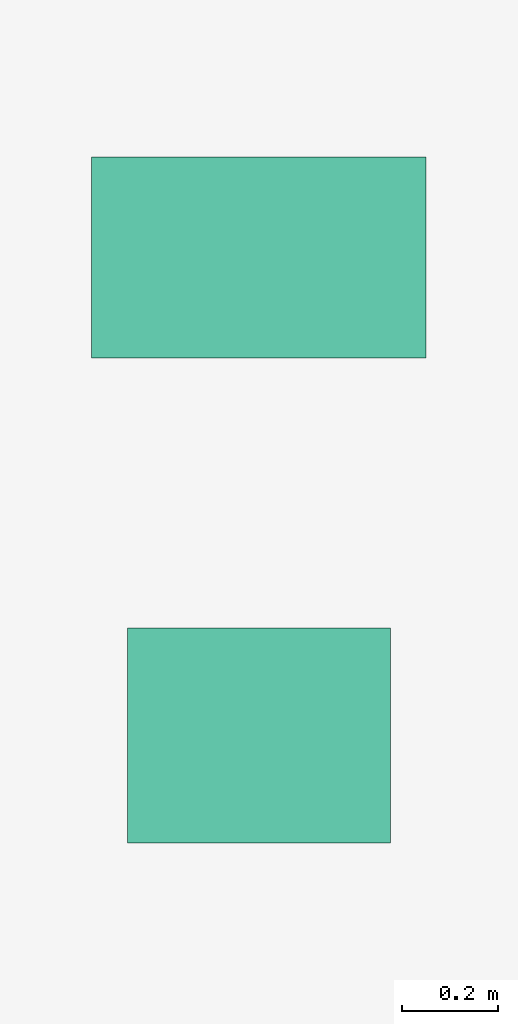
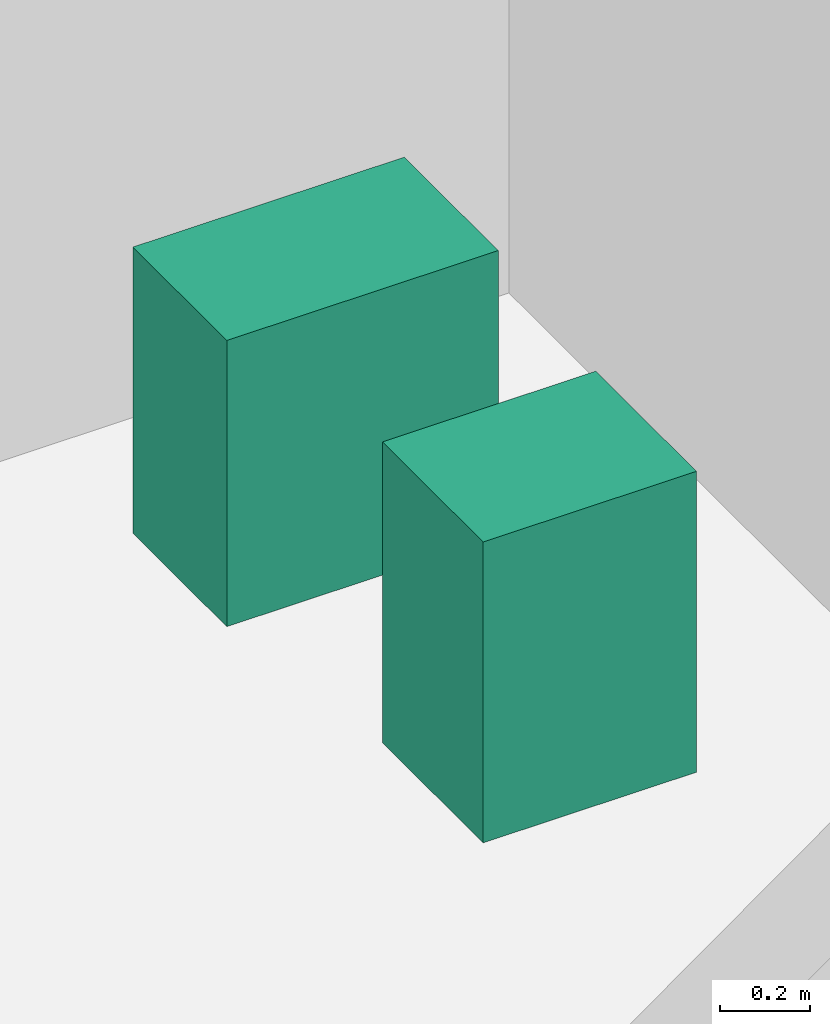
# One storey, part 28 of 28: 2 sanitary terminals.
"""IFC4 building model written with IfcOpenShell, lengths in metres."""

from ifc_helpers import new_model, si_unit, direction, frame, origin, origin_2d, place, context, subcontext, project, spatial, rectangle, extrude, source, transform, mapped, material, type_object, element, save


model = new_model("IFC4")

# Units and contexts
model_context = context("Model", 3, precision=1e-05, world=origin(), true_north=direction((0.0, 1.0)))
body_context = subcontext(model_context, "Body", "Model", "MODEL_VIEW")
ifc_project = project(units=[si_unit("LENGTHUNIT", "METRE"), si_unit("AREAUNIT", "SQUARE_METRE"), si_unit("VOLUMEUNIT", "CUBIC_METRE"), si_unit("PLANEANGLEUNIT", "RADIAN"), si_unit("MASSUNIT", "GRAM", prefix="KILO")], contexts=[model_context])

# Site, building, storey
site_placement = place(None, origin())
site = spatial("IfcSite", under=ifc_project, at=site_placement, CompositionType="ELEMENT")
building_placement = place(site_placement, origin())
building = spatial("IfcBuilding", under=site, at=building_placement, Name="Sumidabori Civic Tower", CompositionType="ELEMENT")
storey_placement = place(building_placement, frame((0.0, 0.0, 167.60009765625)))
storey = spatial("IfcBuildingStorey", under=building, at=storey_placement, Name="L43", CompositionType="ELEMENT", Elevation=167.60009765625)

# Sanitary terminals
ifc_material = material(Name="Vitreous Sanitary Porcelain")
sanitary_terminal_type_1 = type_object("IfcSanitaryTerminalType", Name="SN-WC-1", PredefinedType="TOILETPAN", material=ifc_material)
shared_shape_1 = source(origin(), body_context, "Body", "SweptSolid", [
    extrude(rectangle(XDim=0.699951171875, YDim=0.419921875, at=origin_2d()), origin(), (0.0, 0.0, 1.0), 0.780029296875),
])
sanitary_terminal_1_placement = place(storey_placement, frame((10.800048828125, 21.85009765625, 0.0), z_axis=(0.0, 0.0, 1.0), x_axis=(1.0, 0.0, 0.0)))
element("IfcSanitaryTerminal", 1, at=sanitary_terminal_1_placement, inside=storey, type_object=sanitary_terminal_type_1, Name="Accessible WC Pan L43", PredefinedType="TOILETPAN", context=body_context, shape_type="MappedRepresentation", body=[
    mapped(shared_shape_1, transform((0.0, 0.0, 0.0), x_axis=(1.0, 0.0, 0.0), y_axis=(0.0, 1.0, 0.0), z_axis=(0.0, 0.0, 1.0), scale=1.0)),
])
sanitary_terminal_type_2 = type_object("IfcSanitaryTerminalType", Name="SN-BAS-1", PredefinedType="WASHHANDBASIN", material=ifc_material)
shared_shape_2 = source(origin(), body_context, "Body", "SweptSolid", [
    extrude(rectangle(XDim=0.550048828125, YDim=0.449951171875, at=origin_2d()), origin(), (0.0, 0.0, 1.0), 0.820068359375),
])
sanitary_terminal_2_placement = place(storey_placement, frame((10.800048828125, 20.85009765625, 0.0), z_axis=(0.0, 0.0, 1.0), x_axis=(1.0, 0.0, 0.0)))
element("IfcSanitaryTerminal", 2, at=sanitary_terminal_2_placement, inside=storey, type_object=sanitary_terminal_type_2, Name="Accessible Basin L43", PredefinedType="WASHHANDBASIN", context=body_context, shape_type="MappedRepresentation", body=[
    mapped(shared_shape_2, transform((0.0, 0.0, 0.0), x_axis=(1.0, 0.0, 0.0), y_axis=(0.0, 1.0, 0.0), z_axis=(0.0, 0.0, 1.0), scale=1.0)),
])

save(model, "model.ifc")
